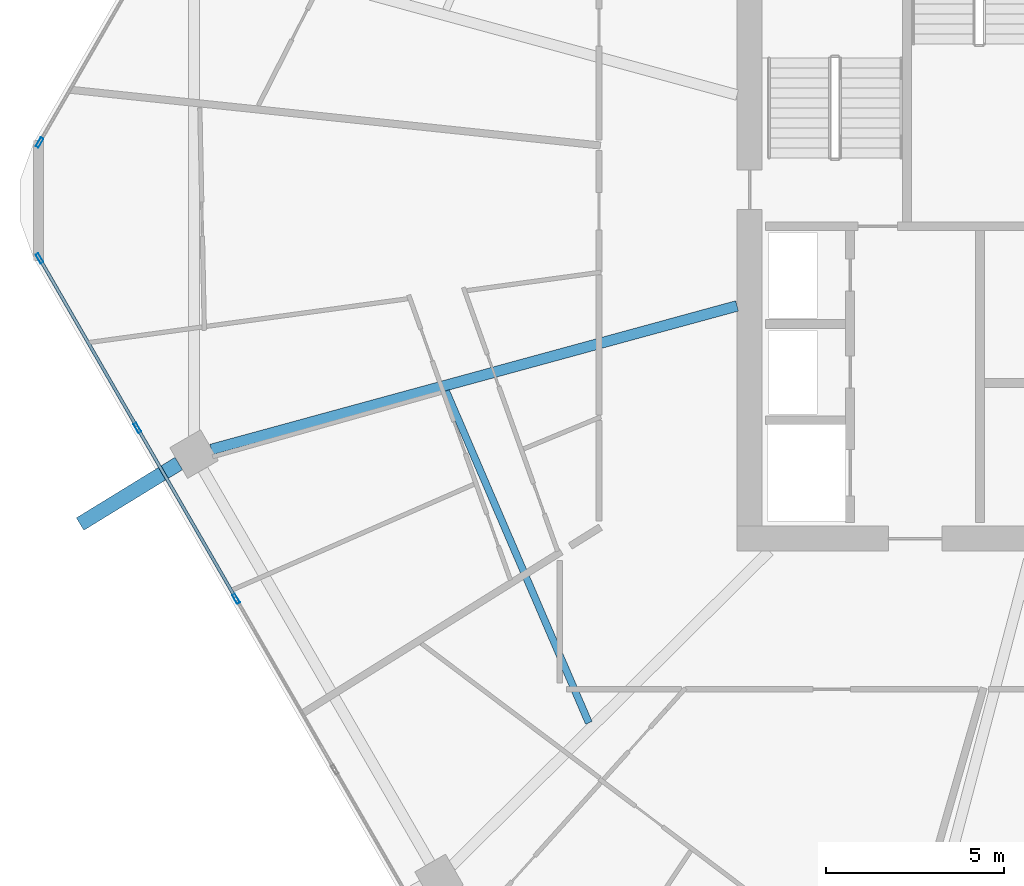
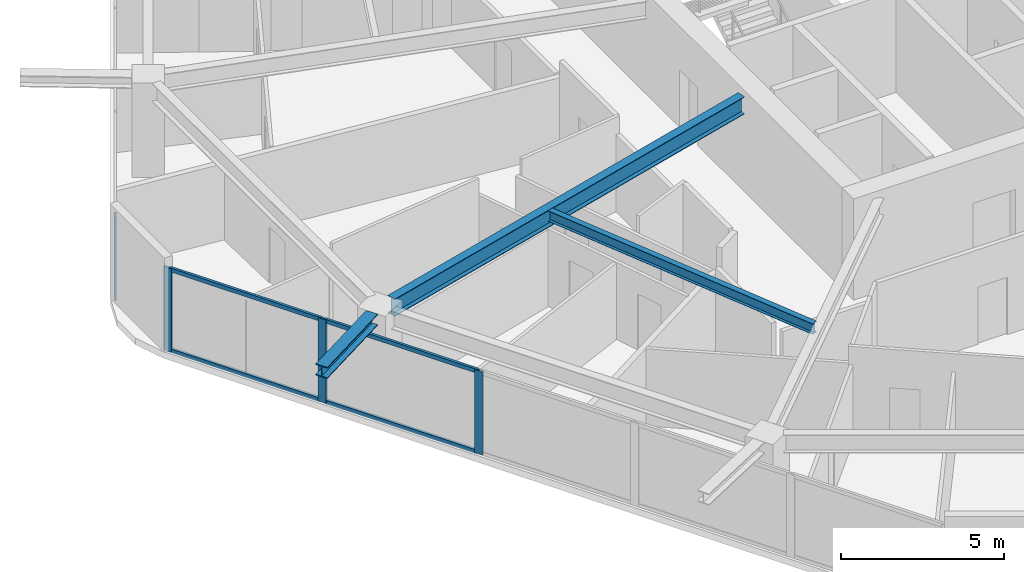
# One storey, part 5 of 25: 8 members, 3 beams, 2 elements without a shape of their own.
"""IFC4 building model written with IfcOpenShell, lengths in metres."""

import ifcopenshell
import ifcopenshell.guid

model = None  # the IFC model being written
_history = None  # IfcOwnerHistory: only IFC2X3 demands one
_inside = {}  # id of a spatial element -> (the spatial element, [elements in it])
_under = {}  # id of a project, library or spatial element -> (it, [spatial elements below it])
_declared = {}  # id of a project -> (the project, [libraries it declares])
_typed = {}  # id of a type object -> (the type object, [elements of that type])
_made_of = {}  # id of a material, layer set ... -> (it, [elements and type objects made of it])


def new_model(schema):
    """Start an empty IFC model of exactly this schema.

    Asked for "IFC4X3", IfcOpenShell would pick the latest addendum, in which some entities
    have other attributes; the version numbers below select the first issue.
    IFC2X3 requires an IfcOwnerHistory on every rooted entity: one is made here for all.
    """
    global model, _history
    if schema == "IFC4X3":
        model = ifcopenshell.file(schema_version=(4, 3, 0, 0))
    else:
        model = ifcopenshell.file(schema=schema)
    _inside.clear()
    _under.clear()
    _declared.clear()
    _typed.clear()
    _made_of.clear()
    _history = None
    if model.schema == "IFC2X3":
        org = make("IfcOrganization", Name="unknown")
        user = make(
            "IfcPersonAndOrganization",
            ThePerson=make("IfcPerson", FamilyName="unknown"),
            TheOrganization=org,
        )
        app = make(
            "IfcApplication",
            ApplicationDeveloper=org,
            Version="unknown",
            ApplicationFullName="unknown",
            ApplicationIdentifier="unknown",
        )
        _history = make(
            "IfcOwnerHistory",
            OwningUser=user,
            OwningApplication=app,
            ChangeAction="ADDED",
            CreationDate=0,
        )
    return model


def make(cls, **values):
    """One entity of the class cls with the attributes given. An attribute that is None is left unset."""
    return model.create_entity(
        cls, **{name: value for name, value in values.items() if value is not None}
    )


def rooted(cls, **values):
    """An entity with a GlobalId (a new one), such as an element, a storey or a relation."""
    return make(cls, GlobalId=ifcopenshell.guid.new(), OwnerHistory=_history, **values)


def si_unit(unit_type, name, prefix=None):
    """IfcSIUnit, for example si_unit("LENGTHUNIT", "METRE", prefix="MILLI")."""
    return make("IfcSIUnit", UnitType=unit_type, Prefix=prefix, Name=name)


def assignment(units):
    """IfcUnitAssignment: the units of a project."""
    return None if units is None else make("IfcUnitAssignment", Units=units)


def point(xyz):
    """IfcCartesianPoint."""
    return None if xyz is None else make("IfcCartesianPoint", Coordinates=xyz)


def direction(xyz):
    """IfcDirection."""
    return None if xyz is None else make("IfcDirection", DirectionRatios=xyz)


def frame(location, z_axis=None, x_axis=None):
    """IfcAxis2Placement3D, a coordinate frame: its origin and axes. An axis left out is left unset."""
    return make(
        "IfcAxis2Placement3D",
        Location=point(location),
        Axis=direction(z_axis),
        RefDirection=direction(x_axis),
    )


def frame_2d(location, x_axis=None):
    """IfcAxis2Placement2D, a coordinate frame in the plane: its origin and x axis."""
    return make(
        "IfcAxis2Placement2D", Location=point(location), RefDirection=direction(x_axis)
    )


def origin():
    """The frame at (0, 0, 0) with its axes left unset."""
    return frame((0.0, 0.0, 0.0))


def origin_2d():
    """The frame at (0, 0) in the plane with its x axis left unset."""
    return frame_2d((0.0, 0.0))


def place(relative_to, where):
    """IfcLocalPlacement: puts the frame where relative to a parent placement (None: the world)."""
    return make(
        "IfcLocalPlacement", PlacementRelTo=relative_to, RelativePlacement=where
    )


def context(
    kind, dimensions, precision=None, world=None, true_north=None, identifier=None
):
    """IfcGeometricRepresentationContext, for example the 3D "Model" context."""
    return make(
        "IfcGeometricRepresentationContext",
        ContextIdentifier=identifier,
        ContextType=kind,
        CoordinateSpaceDimension=dimensions,
        Precision=precision,
        WorldCoordinateSystem=world,
        TrueNorth=true_north,
    )


def subcontext(parent, identifier, kind, view, scale=None):
    """IfcGeometricRepresentationSubContext, for example "Body" below "Model"."""
    return make(
        "IfcGeometricRepresentationSubContext",
        ContextIdentifier=identifier,
        ContextType=kind,
        ParentContext=parent,
        TargetScale=scale,
        TargetView=view,
    )


def project(units=None, contexts=None):
    """IfcProject with its units and contexts."""
    return rooted(
        "IfcProject",
        Name="project",
        RepresentationContexts=contexts,
        UnitsInContext=assignment(units),
    )


def spatial(cls, under=None, at=None, **own):
    """A site, building, storey or space (cls), placed at a placement, below another one or the project."""
    s = rooted(cls, ObjectPlacement=at, **own)
    if under is not None:
        _under.setdefault(under.id(), (under, []))[1].append(s)
    return s


def profile(cls, at=None, kind="AREA", **sizes):
    """A parametric profile (cls). Its sizes go by their IFC names, for example OverallWidth=200.0."""
    return make(cls, ProfileType=kind, Position=at, **sizes)


def hollow_rectangle(**sizes):
    """IfcRectangleHollowProfileDef."""
    return profile("IfcRectangleHollowProfileDef", **sizes)


def i_section(**sizes):
    """IfcIShapeProfileDef."""
    return profile("IfcIShapeProfileDef", **sizes)


def extrude(swept, where, along, depth):
    """IfcExtrudedAreaSolid: the profile swept, set in the frame where, extruded along a direction by depth."""
    return make(
        "IfcExtrudedAreaSolid",
        SweptArea=swept,
        Position=where,
        ExtrudedDirection=direction(along),
        Depth=depth,
    )


def shape(context_of_items, identifier, shape_type, items):
    """IfcShapeRepresentation: the items that make up one representation, for example the "Body"."""
    return make(
        "IfcShapeRepresentation",
        ContextOfItems=context_of_items,
        RepresentationIdentifier=identifier,
        RepresentationType=shape_type,
        Items=items,
    )


def material(Name=None, Category=None):
    """IfcMaterial."""
    return make("IfcMaterial", Name=Name, Category=Category)


def material_profile(
    of_material, cross_section, Name=None, Category=None, Priority=None
):
    """IfcMaterialProfile: a cross section and its material."""
    return make(
        "IfcMaterialProfile",
        Name=Name,
        Material=of_material,
        Profile=cross_section,
        Priority=Priority,
        Category=Category,
    )


def profile_set(profiles, Name=None, composite=None):
    """IfcMaterialProfileSet."""
    return make(
        "IfcMaterialProfileSet",
        Name=Name,
        MaterialProfiles=profiles,
        CompositeProfile=composite,
    )


def made_of(thing, what):
    """Note that an element or type object is made of a material, layer set ...; save() writes the relation."""
    if what is not None:
        _made_of.setdefault(what.id(), (what, []))[1].append(thing)
    return thing


def type_object(cls, material=None, **own):
    """A type object (cls), such as IfcWallType, which elements share."""
    return made_of(rooted(cls, **own), material)


def element(
    cls,
    number,
    at=None,
    inside=None,
    cuts=None,
    type_object=None,
    material=None,
    context=None,
    identifier="Body",
    shape_type=None,
    held_by="IfcProductDefinitionShape",
    body=None,
    shapes=None,
    **own,
):
    """One element of the class cls, such as IfcWall. Its Tag is "e" and its number.

    at: its placement. inside: the storey or other place that contains it. cuts: it is an
    opening in that element (IfcRelVoidsElement). A single representation is given by context,
    identifier, shape_type and body (its items); several are given by shapes. held_by: the class
    of the entity that holds the representations. save() writes the other relations.
    """
    e = rooted(cls, Tag="e%d" % number, ObjectPlacement=at, **own)
    if body is not None:
        shapes = [shape(context, identifier, shape_type, body)]
    if shapes is not None:
        e.Representation = make(held_by, Representations=shapes)
    if inside is not None:
        _inside.setdefault(inside.id(), (inside, []))[1].append(e)
    if cuts is not None:
        rooted(
            "IfcRelVoidsElement", RelatingBuildingElement=cuts, RelatedOpeningElement=e
        )
    if type_object is not None:
        _typed.setdefault(type_object.id(), (type_object, []))[1].append(e)
    return made_of(e, material)


def aggregate(whole, parts):
    """IfcRelAggregates: a whole, such as a stair, and the parts it consists of."""
    return rooted("IfcRelAggregates", RelatingObject=whole, RelatedObjects=parts)


def save(model, path):
    """Write the relations noted so far, then the file.

    IfcRelAggregates (storeys below a building ...), IfcRelContainedInSpatialStructure (elements
    in a storey), IfcRelDefinesByType, IfcRelAssociatesMaterial and IfcRelDeclares: one each for
    every whole, place, type object, material and project.
    """
    for whole, parts in _under.values():
        aggregate(whole, parts)
    for where, things in _inside.values():
        rooted(
            "IfcRelContainedInSpatialStructure",
            RelatedElements=things,
            RelatingStructure=where,
        )
    for kind, things in _typed.values():
        rooted("IfcRelDefinesByType", RelatedObjects=things, RelatingType=kind)
    for what, things in _made_of.values():
        rooted("IfcRelAssociatesMaterial", RelatedObjects=things, RelatingMaterial=what)
    for by, libraries in _declared.values():
        rooted("IfcRelDeclares", RelatingContext=by, RelatedDefinitions=libraries)
    model.write(path)


model = new_model("IFC4")

# Units and contexts
model_context = context("Model", 3, precision=1e-05, world=origin(), true_north=direction((0.0, 1.0)))
body_context = subcontext(model_context, "Body", "Model", "MODEL_VIEW")
ifc_project = project(units=[si_unit("LENGTHUNIT", "METRE"), si_unit("AREAUNIT", "SQUARE_METRE"), si_unit("VOLUMEUNIT", "CUBIC_METRE"), si_unit("PLANEANGLEUNIT", "RADIAN"), si_unit("MASSUNIT", "GRAM", prefix="KILO")], contexts=[model_context])

# Site, building, storey
site_placement = place(None, origin())
site = spatial("IfcSite", under=ifc_project, at=site_placement, CompositionType="ELEMENT")
building_placement = place(site_placement, origin())
building = spatial("IfcBuilding", under=site, at=building_placement, Name="Zuhravey Tower", CompositionType="ELEMENT")
storey_placement = place(building_placement, frame((0.0, 0.0, 150.39990234375)))
storey = spatial("IfcBuildingStorey", under=building, at=storey_placement, Name="L37", CompositionType="ELEMENT", Elevation=150.39990234375)

# Curtain wall, members
ifc_material_1 = material(Name="Thermally broken anodised aluminium", Category="aluminium")
curtain_wall_type = type_object("IfcCurtainWallType", Name="Zone 1-2 Residential Curtain Wall CW3", PredefinedType="NOTDEFINED", material=ifc_material_1)
curtain_wall_1_placement = place(storey_placement, origin())
curtain_wall_1 = element("IfcCurtainWall", 1, at=curtain_wall_1_placement, inside=storey, type_object=curtain_wall_type, Name="L37 CW3 CW-L37-F4-1", PredefinedType="NOTDEFINED")
ifc_material_2 = material(Name="Anodised aluminium", Category="aluminium")
ifc_material_profile_1 = material_profile(ifc_material_2, hollow_rectangle(XDim=0.090087890625, YDim=0.284912109375, WallThickness=0.0048828125, at=origin_2d()), Name="ALU-RHS-90x285x5")
ifc_profile_set_1 = profile_set([ifc_material_profile_1], Name="Anodised aluminium")
member_type_1 = type_object("IfcMemberType", Name="Curtain-Wall Mullion 90x180", PredefinedType="MULLION", material=ifc_profile_set_1)
member_1_placement = place(storey_placement, frame((11.07275390625, 20.809326171875, 0.0), z_axis=(0.0, 0.0, 1.0), x_axis=(-0.866025138215, -0.500000459979, 0.0)))
member_1 = element("IfcMember", 2, at=member_1_placement, type_object=member_type_1, Name="CW3 mullion 4", PredefinedType="MULLION", context=body_context, shape_type="SweptSolid", body=[
    extrude(hollow_rectangle(XDim=0.090087890625, YDim=0.284912109375, WallThickness=0.0048828125, at=origin_2d()), origin(), (0.0, 0.0, 1.0), 3.1220703125),
])
member_2_placement = place(storey_placement, frame((8.300537109375, 25.61083984375, 0.0), z_axis=(0.0, 0.0, 1.0), x_axis=(-0.866025138215, -0.500000459979, 0.0)))
member_2 = element("IfcMember", 3, at=member_2_placement, type_object=member_type_1, Name="CW3 mullion 5", PredefinedType="MULLION", context=body_context, shape_type="SweptSolid", body=[
    extrude(hollow_rectangle(XDim=0.090087890625, YDim=0.284912109375, WallThickness=0.0048828125, at=origin_2d()), origin(), (0.0, 0.0, 1.0), 3.1220703125),
])
member_3_placement = place(storey_placement, frame((5.55078125, 30.37353515625, 0.0), z_axis=(0.0, 0.0, 1.0), x_axis=(-0.866025138215, -0.500000459979, 0.0)))
member_3 = element("IfcMember", 4, at=member_3_placement, type_object=member_type_1, Name="CW3 mullion 6", PredefinedType="MULLION", context=body_context, shape_type="SweptSolid", body=[
    extrude(hollow_rectangle(XDim=0.090087890625, YDim=0.284912109375, WallThickness=0.0048828125, at=origin_2d()), origin(), (0.0, 0.0, 1.0), 3.1220703125),
])

# Curtain wall, member
curtain_wall_2_placement = place(storey_placement, origin())
curtain_wall_2 = element("IfcCurtainWall", 5, at=curtain_wall_2_placement, inside=storey, type_object=curtain_wall_type, Name="L37 CW3 CW-L37-F3-1", PredefinedType="NOTDEFINED")
member_4_placement = place(storey_placement, frame((5.55078125, 33.62646484375, 0.0), z_axis=(0.0, 0.0, 1.0), x_axis=(-0.866025138215, 0.500000459979, 0.0)))
member_4 = element("IfcMember", 6, at=member_4_placement, type_object=member_type_1, Name="CW3 mullion 1", PredefinedType="MULLION", context=body_context, shape_type="SweptSolid", body=[
    extrude(hollow_rectangle(XDim=0.090087890625, YDim=0.284912109375, WallThickness=0.0048828125, at=origin_2d()), origin(), (0.0, 0.0, 1.0), 3.1220703125),
])
aggregate(curtain_wall_2, [member_4])

# Member
ifc_material_profile_2 = material_profile(ifc_material_2, hollow_rectangle(XDim=0.090087890625, YDim=0.14990234375, WallThickness=0.0048828125, at=origin_2d()), Name="ALU-RHS-90x150x5")
ifc_profile_set_2 = profile_set([ifc_material_profile_2], Name="Anodised aluminium")
member_type_2 = type_object("IfcMemberType", Name="Curtain-Wall Transom 90x150", PredefinedType="USERDEFINED", material=ifc_profile_set_2)
member_5_placement = place(storey_placement, frame((11.050048828125, 20.84814453125, 0.045166015625), z_axis=(-0.49996138257, 0.86604769842, 0.0), x_axis=(-0.86604769842, -0.49996138257, 0.0)))
member_5 = element("IfcMember", 7, at=member_5_placement, type_object=member_type_2, Name="CW3 transom 4.1", ObjectType="TRANSOM", PredefinedType="USERDEFINED", context=body_context, shape_type="SweptSolid", body=[
    extrude(hollow_rectangle(XDim=0.090087890625, YDim=0.14990234375, WallThickness=0.0048828125, at=origin_2d()), origin(), (0.0, 0.0, 1.0), 5.45458984375),
])

member_6_placement = place(storey_placement, frame((11.050048828125, 20.84814453125, 3.0771484375), z_axis=(-0.49996138257, 0.86604769842, 0.0), x_axis=(-0.86604769842, -0.49996138257, 0.0)))
member_6 = element("IfcMember", 8, at=member_6_placement, type_object=member_type_2, Name="CW3 transom 4.2", ObjectType="TRANSOM", PredefinedType="USERDEFINED", context=body_context, shape_type="SweptSolid", body=[
    extrude(hollow_rectangle(XDim=0.090087890625, YDim=0.14990234375, WallThickness=0.0048828125, at=origin_2d()), origin(), (0.0, 0.0, 1.0), 5.45458984375),
])

member_7_placement = place(storey_placement, frame((8.27783203125, 25.64990234375, 0.045166015625), z_axis=(-0.499993332629, 0.866029253159, 0.0), x_axis=(-0.866029253159, -0.499993332629, 0.0)))
member_7 = element("IfcMember", 9, at=member_7_placement, type_object=member_type_2, Name="CW3 transom 5.1", ObjectType="TRANSOM", PredefinedType="USERDEFINED", context=body_context, shape_type="SweptSolid", body=[
    extrude(hollow_rectangle(XDim=0.090087890625, YDim=0.14990234375, WallThickness=0.0048828125, at=origin_2d()), origin(), (0.0, 0.0, 1.0), 5.4091796875),
])

member_8_placement = place(storey_placement, frame((8.27783203125, 25.64990234375, 3.0771484375), z_axis=(-0.499993332629, 0.866029253159, 0.0), x_axis=(-0.866029253159, -0.499993332629, 0.0)))
member_8 = element("IfcMember", 10, at=member_8_placement, type_object=member_type_2, Name="CW3 transom 5.2", ObjectType="TRANSOM", PredefinedType="USERDEFINED", context=body_context, shape_type="SweptSolid", body=[
    extrude(hollow_rectangle(XDim=0.090087890625, YDim=0.14990234375, WallThickness=0.0048828125, at=origin_2d()), origin(), (0.0, 0.0, 1.0), 5.4091796875),
])

aggregate(curtain_wall_1, [member_1, member_2, member_3, member_5, member_6, member_7, member_8])

# Beams
ifc_material_3 = material(Name="Steel SM460", Category="steel")
ifc_material_profile_3 = material_profile(ifc_material_3, i_section(OverallWidth=0.406982421875, OverallDepth=0.427978515625, WebThickness=0.02001953125, FlangeThickness=0.034912109375, at=origin_2d()), Name="H-428x407x20x35")
ifc_profile_set_3 = profile_set([ifc_material_profile_3], Name="Steel SM460")
beam_type_1 = type_object("IfcBeamType", Name="Exoskeleton Node Tie Beam H428x407", PredefinedType="BEAM", material=ifc_profile_set_3)
beam_1_placement = place(storey_placement, frame((9.462646484375, 24.60986328125, 3.336181640625), z_axis=(-0.852296870051, -0.523058357453, 0.0), x_axis=(0.523058357453, -0.852296870051, 0.0)))
element("IfcBeam", 11, at=beam_1_placement, inside=storey, type_object=beam_type_1, Name="L37 Exoskeleton Node Tie NT1-07", PredefinedType="BEAM", context=body_context, shape_type="SweptSolid", body=[
    extrude(i_section(OverallWidth=0.406982421875, OverallDepth=0.427978515625, WebThickness=0.02001953125, FlangeThickness=0.034912109375, at=origin_2d()), origin(), (0.0, 0.0, 1.0), 3.25244140625),
])
ifc_material_4 = material(Name="Steel SM355", Category="steel")
ifc_material_profile_4 = material_profile(ifc_material_4, i_section(OverallWidth=0.300048828125, OverallDepth=0.64990234375, WebThickness=0.012939453125, FlangeThickness=0.02197265625, at=origin_2d()), Name="H-650x300x13x22")
ifc_profile_set_4 = profile_set([ifc_material_profile_4], Name="Steel SM355")
beam_type_2 = type_object("IfcBeamType", Name="Radial Primary Girder H650x300", PredefinedType="BEAM", material=ifc_profile_set_4)
beam_2_placement = place(storey_placement, frame((25.14697265625, 29.03759765625, 3.22509765625), z_axis=(-0.964701601771, -0.263345437667, 0.0), x_axis=(0.263345437667, -0.964701601771, 0.0)))
element("IfcBeam", 12, at=beam_2_placement, inside=storey, type_object=beam_type_2, Name="L37 RG2 BM-L37-RAD-07", PredefinedType="BEAM", context=body_context, shape_type="SweptSolid", body=[
    extrude(i_section(OverallWidth=0.300048828125, OverallDepth=0.64990234375, WebThickness=0.012939453125, FlangeThickness=0.02197265625, at=origin_2d()), origin(), (0.0, 0.0, 1.0), 15.309814453125),
])
ifc_material_profile_5 = material_profile(ifc_material_4, i_section(OverallWidth=0.199951171875, OverallDepth=0.39990234375, WebThickness=0.008056640625, FlangeThickness=0.012939453125, at=origin_2d()), Name="H-400x200x8x13")
ifc_profile_set_5 = profile_set([ifc_material_profile_5], Name="Steel SM355")
beam_type_3 = type_object("IfcBeamType", Name="Secondary Floor Joist H400x200", PredefinedType="JOIST", material=ifc_profile_set_5)
beam_3_placement = place(storey_placement, frame((16.970458984375, 26.6474609375, 3.35009765625), z_axis=(0.395265853487, -0.918566766799, 0.0), x_axis=(0.918566766799, 0.395265853487, 0.0)))
element("IfcBeam", 13, at=beam_3_placement, inside=storey, type_object=beam_type_3, Name="L37 SJ2 BM-L37-SJ-07-1", PredefinedType="JOIST", context=body_context, shape_type="SweptSolid", body=[
    extrude(i_section(OverallWidth=0.199951171875, OverallDepth=0.39990234375, WebThickness=0.008056640625, FlangeThickness=0.012939453125, at=origin_2d()), origin(), (0.0, 0.0, 1.0), 10.150146484375),
])

save(model, "model.ifc")
